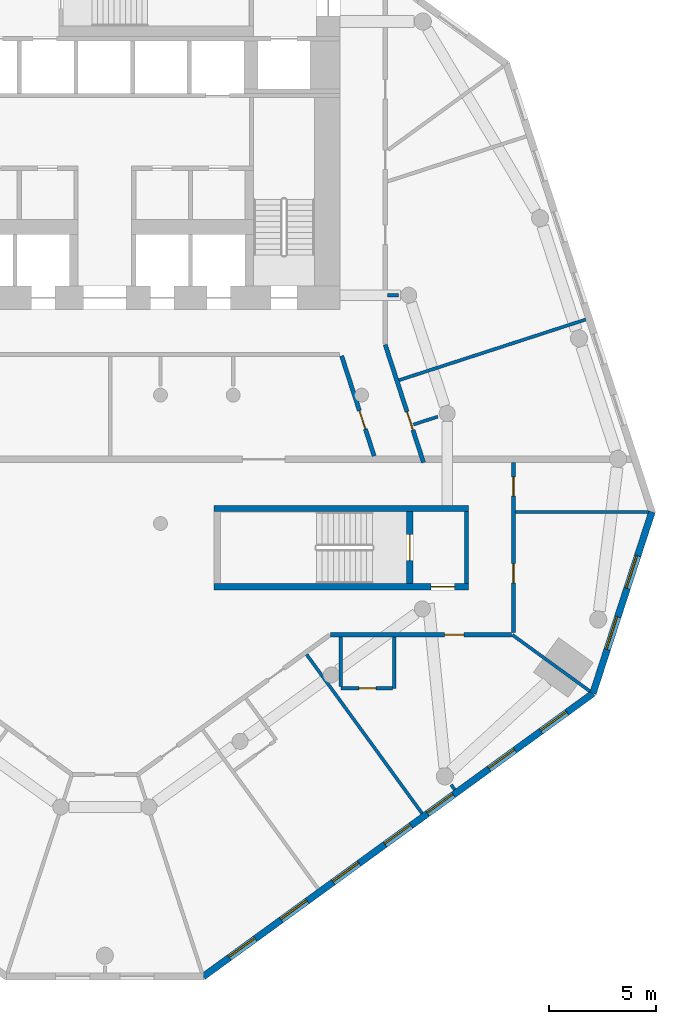
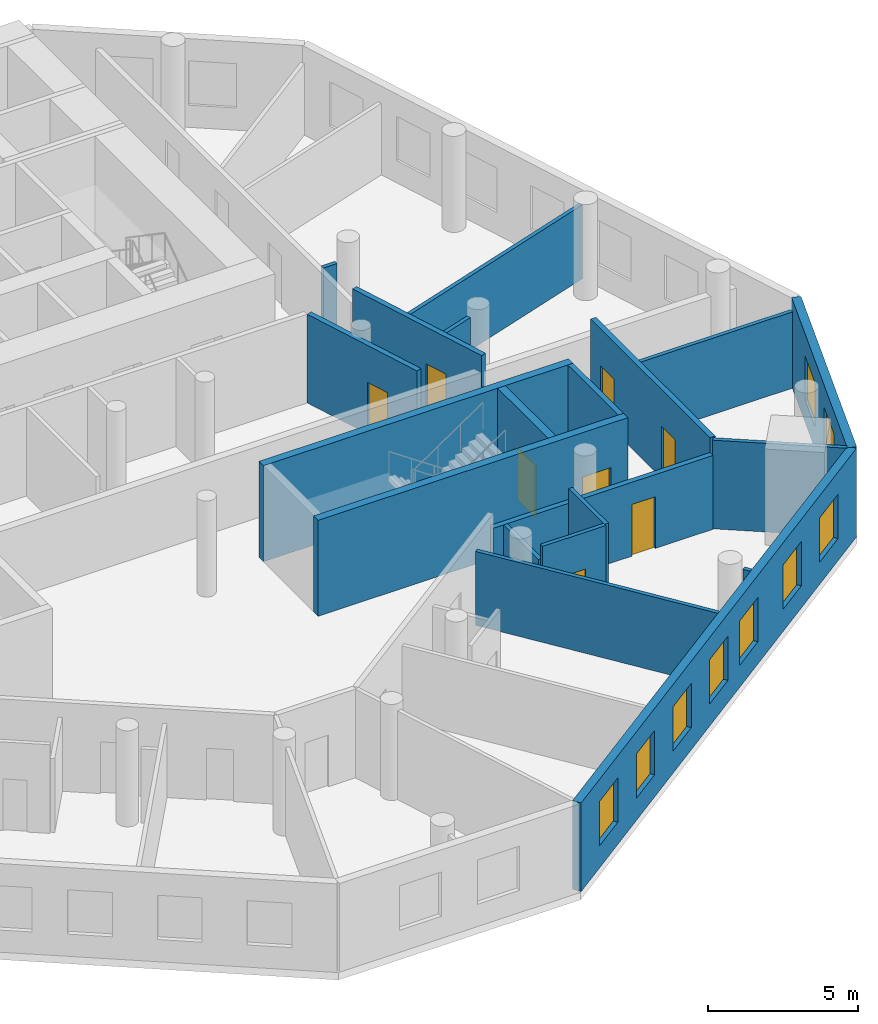
# One storey, part 4 of 9: 20 walls, 9 windows, 8 doors, 17 openings.
"""IFC4 building model written with IfcOpenShell, lengths in metres."""

import ifcopenshell
import ifcopenshell.guid

model = None  # the IFC model being written
_history = None  # IfcOwnerHistory: only IFC2X3 demands one
_inside = {}  # id of a spatial element -> (the spatial element, [elements in it])
_under = {}  # id of a project, library or spatial element -> (it, [spatial elements below it])
_declared = {}  # id of a project -> (the project, [libraries it declares])
_typed = {}  # id of a type object -> (the type object, [elements of that type])
_made_of = {}  # id of a material, layer set ... -> (it, [elements and type objects made of it])


def new_model(schema):
    """Start an empty IFC model of exactly this schema.

    Asked for "IFC4X3", IfcOpenShell would pick the latest addendum, in which some entities
    have other attributes; the version numbers below select the first issue.
    IFC2X3 requires an IfcOwnerHistory on every rooted entity: one is made here for all.
    """
    global model, _history
    if schema == "IFC4X3":
        model = ifcopenshell.file(schema_version=(4, 3, 0, 0))
    else:
        model = ifcopenshell.file(schema=schema)
    _inside.clear()
    _under.clear()
    _declared.clear()
    _typed.clear()
    _made_of.clear()
    _history = None
    if model.schema == "IFC2X3":
        org = make("IfcOrganization", Name="unknown")
        user = make(
            "IfcPersonAndOrganization",
            ThePerson=make("IfcPerson", FamilyName="unknown"),
            TheOrganization=org,
        )
        app = make(
            "IfcApplication",
            ApplicationDeveloper=org,
            Version="unknown",
            ApplicationFullName="unknown",
            ApplicationIdentifier="unknown",
        )
        _history = make(
            "IfcOwnerHistory",
            OwningUser=user,
            OwningApplication=app,
            ChangeAction="ADDED",
            CreationDate=0,
        )
    return model


def make(cls, **values):
    """One entity of the class cls with the attributes given. An attribute that is None is left unset."""
    return model.create_entity(
        cls, **{name: value for name, value in values.items() if value is not None}
    )


def rooted(cls, **values):
    """An entity with a GlobalId (a new one), such as an element, a storey or a relation."""
    return make(cls, GlobalId=ifcopenshell.guid.new(), OwnerHistory=_history, **values)


def si_unit(unit_type, name, prefix=None):
    """IfcSIUnit, for example si_unit("LENGTHUNIT", "METRE", prefix="MILLI")."""
    return make("IfcSIUnit", UnitType=unit_type, Prefix=prefix, Name=name)


def assignment(units):
    """IfcUnitAssignment: the units of a project."""
    return None if units is None else make("IfcUnitAssignment", Units=units)


def point(xyz):
    """IfcCartesianPoint."""
    return None if xyz is None else make("IfcCartesianPoint", Coordinates=xyz)


def direction(xyz):
    """IfcDirection."""
    return None if xyz is None else make("IfcDirection", DirectionRatios=xyz)


def frame(location, z_axis=None, x_axis=None):
    """IfcAxis2Placement3D, a coordinate frame: its origin and axes. An axis left out is left unset."""
    return make(
        "IfcAxis2Placement3D",
        Location=point(location),
        Axis=direction(z_axis),
        RefDirection=direction(x_axis),
    )


def frame_2d(location, x_axis=None):
    """IfcAxis2Placement2D, a coordinate frame in the plane: its origin and x axis."""
    return make(
        "IfcAxis2Placement2D", Location=point(location), RefDirection=direction(x_axis)
    )


def origin():
    """The frame at (0, 0, 0) with its axes left unset."""
    return frame((0.0, 0.0, 0.0))


def place(relative_to, where):
    """IfcLocalPlacement: puts the frame where relative to a parent placement (None: the world)."""
    return make(
        "IfcLocalPlacement", PlacementRelTo=relative_to, RelativePlacement=where
    )


def context(
    kind, dimensions, precision=None, world=None, true_north=None, identifier=None
):
    """IfcGeometricRepresentationContext, for example the 3D "Model" context."""
    return make(
        "IfcGeometricRepresentationContext",
        ContextIdentifier=identifier,
        ContextType=kind,
        CoordinateSpaceDimension=dimensions,
        Precision=precision,
        WorldCoordinateSystem=world,
        TrueNorth=true_north,
    )


def subcontext(parent, identifier, kind, view, scale=None):
    """IfcGeometricRepresentationSubContext, for example "Body" below "Model"."""
    return make(
        "IfcGeometricRepresentationSubContext",
        ContextIdentifier=identifier,
        ContextType=kind,
        ParentContext=parent,
        TargetScale=scale,
        TargetView=view,
    )


def project(units=None, contexts=None):
    """IfcProject with its units and contexts."""
    return rooted(
        "IfcProject",
        Name="project",
        RepresentationContexts=contexts,
        UnitsInContext=assignment(units),
    )


def spatial(cls, under=None, at=None, **own):
    """A site, building, storey or space (cls), placed at a placement, below another one or the project."""
    s = rooted(cls, ObjectPlacement=at, **own)
    if under is not None:
        _under.setdefault(under.id(), (under, []))[1].append(s)
    return s


def profile(cls, at=None, kind="AREA", **sizes):
    """A parametric profile (cls). Its sizes go by their IFC names, for example OverallWidth=200.0."""
    return make(cls, ProfileType=kind, Position=at, **sizes)


def rectangle(**sizes):
    """IfcRectangleProfileDef."""
    return profile("IfcRectangleProfileDef", **sizes)


def extrude(swept, where, along, depth):
    """IfcExtrudedAreaSolid: the profile swept, set in the frame where, extruded along a direction by depth."""
    return make(
        "IfcExtrudedAreaSolid",
        SweptArea=swept,
        Position=where,
        ExtrudedDirection=direction(along),
        Depth=depth,
    )


def shape(context_of_items, identifier, shape_type, items):
    """IfcShapeRepresentation: the items that make up one representation, for example the "Body"."""
    return make(
        "IfcShapeRepresentation",
        ContextOfItems=context_of_items,
        RepresentationIdentifier=identifier,
        RepresentationType=shape_type,
        Items=items,
    )


def material(Name=None, Category=None):
    """IfcMaterial."""
    return make("IfcMaterial", Name=Name, Category=Category)


def layer(
    of_material, thickness, ventilated=None, Name=None, Category=None, Priority=None
):
    """IfcMaterialLayer: one layer of a wall or slab, of a material (None: an air gap)."""
    return make(
        "IfcMaterialLayer",
        Material=of_material,
        LayerThickness=thickness,
        IsVentilated=ventilated,
        Name=Name,
        Category=Category,
        Priority=Priority,
    )


def layer_set(layers, Name=None):
    """IfcMaterialLayerSet."""
    return make("IfcMaterialLayerSet", MaterialLayers=layers, LayerSetName=Name)


def made_of(thing, what):
    """Note that an element or type object is made of a material, layer set ...; save() writes the relation."""
    if what is not None:
        _made_of.setdefault(what.id(), (what, []))[1].append(thing)
    return thing


def type_object(cls, material=None, **own):
    """A type object (cls), such as IfcWallType, which elements share."""
    return made_of(rooted(cls, **own), material)


def element(
    cls,
    number,
    at=None,
    inside=None,
    cuts=None,
    type_object=None,
    material=None,
    context=None,
    identifier="Body",
    shape_type=None,
    held_by="IfcProductDefinitionShape",
    body=None,
    shapes=None,
    **own,
):
    """One element of the class cls, such as IfcWall. Its Tag is "e" and its number.

    at: its placement. inside: the storey or other place that contains it. cuts: it is an
    opening in that element (IfcRelVoidsElement). A single representation is given by context,
    identifier, shape_type and body (its items); several are given by shapes. held_by: the class
    of the entity that holds the representations. save() writes the other relations.
    """
    e = rooted(cls, Tag="e%d" % number, ObjectPlacement=at, **own)
    if body is not None:
        shapes = [shape(context, identifier, shape_type, body)]
    if shapes is not None:
        e.Representation = make(held_by, Representations=shapes)
    if inside is not None:
        _inside.setdefault(inside.id(), (inside, []))[1].append(e)
    if cuts is not None:
        rooted(
            "IfcRelVoidsElement", RelatingBuildingElement=cuts, RelatedOpeningElement=e
        )
    if type_object is not None:
        _typed.setdefault(type_object.id(), (type_object, []))[1].append(e)
    return made_of(e, material)


def fill(opening, filler):
    """IfcRelFillsElement: the door or window that sits in an opening."""
    return rooted(
        "IfcRelFillsElement",
        RelatingOpeningElement=opening,
        RelatedBuildingElement=filler,
    )


def aggregate(whole, parts):
    """IfcRelAggregates: a whole, such as a stair, and the parts it consists of."""
    return rooted("IfcRelAggregates", RelatingObject=whole, RelatedObjects=parts)


def save(model, path):
    """Write the relations noted so far, then the file.

    IfcRelAggregates (storeys below a building ...), IfcRelContainedInSpatialStructure (elements
    in a storey), IfcRelDefinesByType, IfcRelAssociatesMaterial and IfcRelDeclares: one each for
    every whole, place, type object, material and project.
    """
    for whole, parts in _under.values():
        aggregate(whole, parts)
    for where, things in _inside.values():
        rooted(
            "IfcRelContainedInSpatialStructure",
            RelatedElements=things,
            RelatingStructure=where,
        )
    for kind, things in _typed.values():
        rooted("IfcRelDefinesByType", RelatedObjects=things, RelatingType=kind)
    for what, things in _made_of.values():
        rooted("IfcRelAssociatesMaterial", RelatedObjects=things, RelatingMaterial=what)
    for by, libraries in _declared.values():
        rooted("IfcRelDeclares", RelatingContext=by, RelatedDefinitions=libraries)
    model.write(path)


model = new_model("IFC4")

# Units and contexts
model_context = context("Model", 3, precision=1e-05, world=origin(), true_north=direction((0.0, 1.0)))
body_context = subcontext(model_context, "Body", "Model", "MODEL_VIEW")
ifc_project = project(units=[si_unit("LENGTHUNIT", "METRE"), si_unit("AREAUNIT", "SQUARE_METRE"), si_unit("VOLUMEUNIT", "CUBIC_METRE"), si_unit("PLANEANGLEUNIT", "RADIAN"), si_unit("MASSUNIT", "GRAM", prefix="KILO")], contexts=[model_context])

# Site, building, storey
site_placement = place(None, origin())
site = spatial("IfcSite", under=ifc_project, at=site_placement, CompositionType="ELEMENT")
building_placement = place(site_placement, origin())
building = spatial("IfcBuilding", under=site, at=building_placement, Name="White Candle Pilgrim Tower", CompositionType="ELEMENT")
storey_placement = place(building_placement, frame((0.0, 0.0, 122.0)))
storey = spatial("IfcBuildingStorey", under=building, at=storey_placement, Name="L27", CompositionType="ELEMENT", Elevation=122.0)

# Wall
ifc_material_1 = material(Name="Concrete C60/75", Category="concrete")
ifc_layer_1 = layer(ifc_material_1, 0.199951171875)
ifc_layer_set_1 = layer_set([ifc_layer_1], Name="Core wall 200 mm Concrete C60/75")
wall_type_1 = type_object("IfcWallType", Name="Core wall 200 mm Concrete C60/75", PredefinedType="SHEAR", material=ifc_layer_set_1)
wall_1_placement = place(storey_placement, frame((86.89990234375, 58.199951171875, 0.0), z_axis=(0.0, 0.0, 1.0), x_axis=(0.0, 1.0, 0.0)))
element("IfcWall", 1, at=wall_1_placement, inside=storey, type_object=wall_type_1, Name="WL-L27-C08", PredefinedType="SHEAR", context=body_context, shape_type="SweptSolid", body=[
    extrude(rectangle(XDim=3.35009765625, YDim=0.199951171875, at=frame_2d((1.675048828125, 0.0))), origin(), (0.0, 0.0, 1.0), 3.89990234375),
])

# Wall, opening, door
ifc_material_2 = material(Name="Gypsum board on steel studs", Category="steel")
ifc_layer_2 = layer(ifc_material_2, 0.199951171875)
ifc_layer_set_2 = layer_set([ifc_layer_2], Name="Corridor wall 200 mm EI 45")
wall_type_2 = type_object("IfcWallType", Name="Corridor wall 200 mm EI 45", PredefinedType="PARTITIONING", material=ifc_layer_set_2)
wall_2_placement = place(storey_placement, frame((83.10498046875, 69.35400390625, 0.0), z_axis=(0.0, 0.0, 1.0), x_axis=(0.309017390004, -0.951056387747, 0.0)))
wall_2 = element("IfcWall", 2, at=wall_2_placement, inside=storey, type_object=wall_type_2, Name="WL-L27-P005", PredefinedType="PARTITIONING", context=body_context, shape_type="SweptSolid", body=[
    extrude(rectangle(XDim=5.787109375, YDim=0.199951171875, at=frame_2d((2.8935546875, 0.0))), origin(), (0.0, 0.0, 1.0), 3.60009765625),
])
opening_1_placement = place(wall_2_placement, frame((3.291015625, 0.0, 0.0)))
opening_1 = element("IfcOpeningElement", 3, at=opening_1_placement, cuts=wall_2, Name="Opening T08-127", PredefinedType="OPENING", context=body_context, shape_type="SweptSolid", body=[
    extrude(rectangle(XDim=0.89990234375, YDim=2.10009765625, at=frame_2d((0.449951171875, 1.050048828125))), frame((0.0, 0.10986328125, 0.0), z_axis=(0.0, -1.0, 0.0), x_axis=(1.0, 0.0, 0.0)), (0.0, 0.0, 1.0), 0.219970703125),
])
ifc_material_3 = material(Name="Steel door leaf", Category="steel")
door_type_1 = type_object("IfcDoorType", Name="Fire door 900 x 2100 EI 30", OperationType="NOTDEFINED", PredefinedType="DOOR", material=ifc_material_3)
door_1_placement = place(opening_1_placement, origin())
door_1 = element("IfcDoor", 4, at=door_1_placement, inside=storey, type_object=door_type_1, Name="Door T08-127", OperationType="SINGLE_SWING_LEFT", OverallHeight=2.10009765625, OverallWidth=0.89990234375, PredefinedType="DOOR", context=body_context, shape_type="SweptSolid", body=[
    extrude(rectangle(XDim=0.89990234375, YDim=2.10009765625, at=frame_2d((0.449951171875, 1.050048828125))), frame((0.0, 0.02490234375, 0.0), z_axis=(0.0, -1.0, 0.0), x_axis=(1.0, 0.0, 0.0)), (0.0, 0.0, 1.0), 0.050048828125),
])
fill(opening_1, door_1)

# Wall, openings, doors
wall_3_placement = place(storey_placement, frame((89.10009765625, 63.85009765625, 0.0), z_axis=(0.0, 0.0, 1.0), x_axis=(0.0, -1.0, 0.0)))
wall_3 = element("IfcWall", 5, at=wall_3_placement, inside=storey, type_object=wall_type_2, Name="WL-L27-P006", PredefinedType="PARTITIONING", context=body_context, shape_type="SweptSolid", body=[
    extrude(rectangle(XDim=7.9501953125, YDim=0.199951171875, at=frame_2d((3.97509765625, 0.0))), origin(), (0.0, 0.0, 1.0), 3.60009765625),
])
opening_2_placement = place(wall_3_placement, frame((4.728515625, 0.0, 0.0)))
opening_2 = element("IfcOpeningElement", 6, at=opening_2_placement, cuts=wall_3, Name="Opening T08-115", PredefinedType="OPENING", context=body_context, shape_type="SweptSolid", body=[
    extrude(rectangle(XDim=0.89990234375, YDim=2.10009765625, at=frame_2d((0.449951171875, 1.050048828125))), frame((0.0, 0.10986328125, 0.0), z_axis=(0.0, -1.0, 0.0), x_axis=(1.0, 0.0, 0.0)), (0.0, 0.0, 1.0), 0.219970703125),
])
opening_3_placement = place(wall_3_placement, frame((0.666015625, 0.0, 0.0)))
opening_3 = element("IfcOpeningElement", 7, at=opening_3_placement, cuts=wall_3, Name="Opening T08-128", PredefinedType="OPENING", context=body_context, shape_type="SweptSolid", body=[
    extrude(rectangle(XDim=0.89990234375, YDim=2.10009765625, at=frame_2d((0.449951171875, 1.050048828125))), frame((0.0, 0.10986328125, 0.0), z_axis=(0.0, -1.0, 0.0), x_axis=(1.0, 0.0, 0.0)), (0.0, 0.0, 1.0), 0.219970703125),
])
door_2_placement = place(opening_2_placement, origin())
door_2 = element("IfcDoor", 8, at=door_2_placement, inside=storey, type_object=door_type_1, Name="Door T08-115", OperationType="SINGLE_SWING_LEFT", OverallHeight=2.10009765625, OverallWidth=0.89990234375, PredefinedType="DOOR", context=body_context, shape_type="SweptSolid", body=[
    extrude(rectangle(XDim=0.89990234375, YDim=2.10009765625, at=frame_2d((0.449951171875, 1.050048828125))), frame((0.0, 0.02490234375, 0.0), z_axis=(0.0, -1.0, 0.0), x_axis=(1.0, 0.0, 0.0)), (0.0, 0.0, 1.0), 0.050048828125),
])
fill(opening_2, door_2)
door_3_placement = place(opening_3_placement, origin())
door_3 = element("IfcDoor", 9, at=door_3_placement, inside=storey, type_object=door_type_1, Name="Door T08-128", OperationType="SINGLE_SWING_RIGHT", OverallHeight=2.10009765625, OverallWidth=0.89990234375, PredefinedType="DOOR", context=body_context, shape_type="SweptSolid", body=[
    extrude(rectangle(XDim=0.89990234375, YDim=2.10009765625, at=frame_2d((0.449951171875, 1.050048828125))), frame((0.0, 0.02490234375, 0.0), z_axis=(0.0, -1.0, 0.0), x_axis=(1.0, 0.0, 0.0)), (0.0, 0.0, 1.0), 0.050048828125),
])
fill(opening_3, door_3)

# Wall, opening, door
wall_4_placement = place(storey_placement, frame((89.0, 55.800048828125, 0.0), z_axis=(0.0, 0.0, 1.0), x_axis=(-1.0, 0.0, 0.0)))
wall_4 = element("IfcWall", 10, at=wall_4_placement, inside=storey, type_object=wall_type_2, Name="WL-L27-P007", PredefinedType="PARTITIONING", context=body_context, shape_type="SweptSolid", body=[
    extrude(rectangle(XDim=8.44189453125, YDim=0.199951171875, at=frame_2d((4.220947265625, 0.0))), origin(), (0.0, 0.0, 1.0), 3.0),
])
opening_4_placement = place(wall_4_placement, frame((2.218505859375, 0.0, 0.0)))
opening_4 = element("IfcOpeningElement", 11, at=opening_4_placement, cuts=wall_4, Name="Opening T08-114", PredefinedType="OPENING", context=body_context, shape_type="SweptSolid", body=[
    extrude(rectangle(XDim=0.89990234375, YDim=2.10009765625, at=frame_2d((0.449951171875, 1.050048828125))), frame((0.0, 0.10986328125, 0.0), z_axis=(0.0, -1.0, 0.0), x_axis=(1.0, 0.0, 0.0)), (0.0, 0.0, 1.0), 0.219970703125),
])
door_4_placement = place(opening_4_placement, origin())
door_4 = element("IfcDoor", 12, at=door_4_placement, inside=storey, type_object=door_type_1, Name="Door T08-114", OperationType="SINGLE_SWING_RIGHT", OverallHeight=2.10009765625, OverallWidth=0.89990234375, PredefinedType="DOOR", context=body_context, shape_type="SweptSolid", body=[
    extrude(rectangle(XDim=0.89990234375, YDim=2.10009765625, at=frame_2d((0.449951171875, 1.050048828125))), frame((0.0, 0.02490234375, 0.0), z_axis=(0.0, -1.0, 0.0), x_axis=(1.0, 0.0, 0.0)), (0.0, 0.0, 1.0), 0.050048828125),
])
fill(opening_4, door_4)

wall_5_placement = place(storey_placement, frame((82.587646484375, 64.14990234375, 0.0), z_axis=(0.0, 0.0, 1.0), x_axis=(-0.308986244793, 0.95106650689, 0.0)))
wall_5 = element("IfcWall", 13, at=wall_5_placement, inside=storey, type_object=wall_type_2, Name="WL-L27-P015", PredefinedType="PARTITIONING", context=body_context, shape_type="SweptSolid", body=[
    extrude(rectangle(XDim=4.921630859375, YDim=0.199951171875, at=frame_2d((2.4609375, 0.0))), origin(), (0.0, 0.0, 1.0), 3.60009765625),
])
opening_5_placement = place(wall_5_placement, frame((1.32568359375, 0.0, 0.0)))
opening_5 = element("IfcOpeningElement", 14, at=opening_5_placement, cuts=wall_5, Name="Opening T08-129", PredefinedType="OPENING", context=body_context, shape_type="SweptSolid", body=[
    extrude(rectangle(XDim=0.89990234375, YDim=2.10009765625, at=frame_2d((0.449951171875, 1.050048828125))), frame((0.0, 0.10986328125, 0.0), z_axis=(0.0, -1.0, 0.0), x_axis=(1.0, 0.0, 0.0)), (0.0, 0.0, 1.0), 0.219970703125),
])
door_5_placement = place(opening_5_placement, origin())
door_5 = element("IfcDoor", 15, at=door_5_placement, inside=storey, type_object=door_type_1, Name="Door T08-129", OperationType="SINGLE_SWING_LEFT", OverallHeight=2.10009765625, OverallWidth=0.89990234375, PredefinedType="DOOR", context=body_context, shape_type="SweptSolid", body=[
    extrude(rectangle(XDim=0.89990234375, YDim=2.10009765625, at=frame_2d((0.449951171875, 1.050048828125))), frame((0.0, 0.02490234375, 0.0), z_axis=(0.0, -1.0, 0.0), x_axis=(1.0, 0.0, 0.0)), (0.0, 0.0, 1.0), 0.050048828125),
])
fill(opening_5, door_5)

# Wall, openings, windows
ifc_material_4 = material(Name="Precast concrete C40/50", Category="concrete")
ifc_layer_3 = layer(ifc_material_4, 0.320068359375)
ifc_layer_set_3 = layer_set([ifc_layer_3], Name="Facade wall EW1 precast concrete C40/50 pier wall with timber-lined reveals")
wall_type_3 = type_object("IfcWallType", Name="Facade wall EW1 precast concrete C40/50 pier wall with timber-lined reveals", PredefinedType="SOLIDWALL", material=ifc_layer_set_3)
wall_6_placement = place(storey_placement, frame((74.599609375, 39.825927734375, 0.0), z_axis=(0.0, 0.0, 1.0), x_axis=(0.809016442358, 0.587786012077, 0.0)))
wall_6 = element("IfcWall", 16, at=wall_6_placement, inside=storey, type_object=wall_type_3, Name="Facade wall L27 SE", PredefinedType="SOLIDWALL", context=body_context, shape_type="SweptSolid", body=[
    extrude(rectangle(XDim=22.511474609375, YDim=0.320068359375, at=frame_2d((11.255859375, 0.0))), origin(), (0.0, 0.0, 1.0), 3.60009765625),
])
opening_6_placement = place(wall_6_placement, frame((1.505615234375, 0.0, 0.89990234375)))
opening_6 = element("IfcOpeningElement", 17, at=opening_6_placement, cuts=wall_6, Name="Opening W1", PredefinedType="OPENING", context=body_context, shape_type="SweptSolid", body=[
    extrude(rectangle(XDim=1.5, YDim=1.800048828125, at=frame_2d((0.75, 0.89990234375))), frame((0.0, 0.169921875, 0.0), z_axis=(0.0, -1.0, 0.0), x_axis=(1.0, 0.0, 0.0)), (0.0, 0.0, 1.0), 0.340087890625),
])
opening_7_placement = place(wall_6_placement, frame((4.505615234375, 0.0, 0.89990234375)))
opening_7 = element("IfcOpeningElement", 18, at=opening_7_placement, cuts=wall_6, Name="Opening W1", PredefinedType="OPENING", context=body_context, shape_type="SweptSolid", body=[
    extrude(rectangle(XDim=1.5, YDim=1.800048828125, at=frame_2d((0.75, 0.89990234375))), frame((0.0, 0.169921875, 0.0), z_axis=(0.0, -1.0, 0.0), x_axis=(1.0, 0.0, 0.0)), (0.0, 0.0, 1.0), 0.340087890625),
])
opening_8_placement = place(wall_6_placement, frame((7.505615234375, 0.0, 0.89990234375)))
opening_8 = element("IfcOpeningElement", 19, at=opening_8_placement, cuts=wall_6, Name="Opening W1", PredefinedType="OPENING", context=body_context, shape_type="SweptSolid", body=[
    extrude(rectangle(XDim=1.5, YDim=1.800048828125, at=frame_2d((0.75, 0.89990234375))), frame((0.0, 0.169921875, 0.0), z_axis=(0.0, -1.0, 0.0), x_axis=(1.0, 0.0, 0.0)), (0.0, 0.0, 1.0), 0.340087890625),
])
opening_9_placement = place(wall_6_placement, frame((10.505615234375, 0.0, 0.89990234375)))
opening_9 = element("IfcOpeningElement", 20, at=opening_9_placement, cuts=wall_6, Name="Opening W1", PredefinedType="OPENING", context=body_context, shape_type="SweptSolid", body=[
    extrude(rectangle(XDim=1.5, YDim=1.800048828125, at=frame_2d((0.75, 0.89990234375))), frame((0.0, 0.169921875, 0.0), z_axis=(0.0, -1.0, 0.0), x_axis=(1.0, 0.0, 0.0)), (0.0, 0.0, 1.0), 0.340087890625),
])
opening_10_placement = place(wall_6_placement, frame((12.955810546875, 0.0, 0.89990234375)))
opening_10 = element("IfcOpeningElement", 21, at=opening_10_placement, cuts=wall_6, Name="Opening W1", PredefinedType="OPENING", context=body_context, shape_type="SweptSolid", body=[
    extrude(rectangle(XDim=1.5, YDim=1.800048828125, at=frame_2d((0.75, 0.89990234375))), frame((0.0, 0.169921875, 0.0), z_axis=(0.0, -1.0, 0.0), x_axis=(1.0, 0.0, 0.0)), (0.0, 0.0, 1.0), 0.340087890625),
])
opening_11_placement = place(wall_6_placement, frame((16.505615234375, 0.0, 0.89990234375)))
opening_11 = element("IfcOpeningElement", 22, at=opening_11_placement, cuts=wall_6, Name="Opening W1", PredefinedType="OPENING", context=body_context, shape_type="SweptSolid", body=[
    extrude(rectangle(XDim=1.5, YDim=1.800048828125, at=frame_2d((0.75, 0.89990234375))), frame((0.0, 0.169921875, 0.0), z_axis=(0.0, -1.0, 0.0), x_axis=(1.0, 0.0, 0.0)), (0.0, 0.0, 1.0), 0.340087890625),
])
opening_12_placement = place(wall_6_placement, frame((19.505615234375, 0.0, 0.89990234375)))
opening_12 = element("IfcOpeningElement", 23, at=opening_12_placement, cuts=wall_6, Name="Opening W1", PredefinedType="OPENING", context=body_context, shape_type="SweptSolid", body=[
    extrude(rectangle(XDim=1.5, YDim=1.800048828125, at=frame_2d((0.75, 0.89990234375))), frame((0.0, 0.169921875, 0.0), z_axis=(0.0, -1.0, 0.0), x_axis=(1.0, 0.0, 0.0)), (0.0, 0.0, 1.0), 0.340087890625),
])
ifc_material_5 = material(Name="Timber frame with triple glazing", Category="wood")
window_type_1 = type_object("IfcWindowType", Name="Window W1 1500x1800 timber frame triple glazing", PartitioningType="SINGLE_PANEL", PredefinedType="WINDOW", material=ifc_material_5)
window_1_placement = place(opening_6_placement, origin())
window_1 = element("IfcWindow", 24, at=window_1_placement, inside=storey, type_object=window_type_1, Name="Window W1 L27 SE 1", OverallHeight=1.800048828125, OverallWidth=1.5, PartitioningType="SINGLE_PANEL", PredefinedType="WINDOW", context=body_context, shape_type="SweptSolid", body=[
    extrude(rectangle(XDim=1.5, YDim=1.800048828125, at=frame_2d((0.75, 0.89990234375))), frame((0.0, 0.070068359375, 0.0), z_axis=(0.0, -1.0, 0.0), x_axis=(1.0, 0.0, 0.0)), (0.0, 0.0, 1.0), 0.06005859375),
])
fill(opening_6, window_1)
window_2_placement = place(opening_7_placement, origin())
window_2 = element("IfcWindow", 25, at=window_2_placement, inside=storey, type_object=window_type_1, Name="Window W1 L27 SE 2", OverallHeight=1.800048828125, OverallWidth=1.5, PartitioningType="SINGLE_PANEL", PredefinedType="WINDOW", context=body_context, shape_type="SweptSolid", body=[
    extrude(rectangle(XDim=1.5, YDim=1.800048828125, at=frame_2d((0.75, 0.89990234375))), frame((0.0, 0.070068359375, 0.0), z_axis=(0.0, -1.0, 0.0), x_axis=(1.0, 0.0, 0.0)), (0.0, 0.0, 1.0), 0.06005859375),
])
fill(opening_7, window_2)
window_3_placement = place(opening_8_placement, origin())
window_3 = element("IfcWindow", 26, at=window_3_placement, inside=storey, type_object=window_type_1, Name="Window W1 L27 SE 3", OverallHeight=1.800048828125, OverallWidth=1.5, PartitioningType="SINGLE_PANEL", PredefinedType="WINDOW", context=body_context, shape_type="SweptSolid", body=[
    extrude(rectangle(XDim=1.5, YDim=1.800048828125, at=frame_2d((0.75, 0.89990234375))), frame((0.0, 0.070068359375, 0.0), z_axis=(0.0, -1.0, 0.0), x_axis=(1.0, 0.0, 0.0)), (0.0, 0.0, 1.0), 0.06005859375),
])
fill(opening_8, window_3)
window_4_placement = place(opening_9_placement, origin())
window_4 = element("IfcWindow", 27, at=window_4_placement, inside=storey, type_object=window_type_1, Name="Window W1 L27 SE 4", OverallHeight=1.800048828125, OverallWidth=1.5, PartitioningType="SINGLE_PANEL", PredefinedType="WINDOW", context=body_context, shape_type="SweptSolid", body=[
    extrude(rectangle(XDim=1.5, YDim=1.800048828125, at=frame_2d((0.75, 0.89990234375))), frame((0.0, 0.070068359375, 0.0), z_axis=(0.0, -1.0, 0.0), x_axis=(1.0, 0.0, 0.0)), (0.0, 0.0, 1.0), 0.06005859375),
])
fill(opening_9, window_4)
window_5_placement = place(opening_10_placement, origin())
window_5 = element("IfcWindow", 28, at=window_5_placement, inside=storey, type_object=window_type_1, Name="Window W1 L27 SE 5", OverallHeight=1.800048828125, OverallWidth=1.5, PartitioningType="SINGLE_PANEL", PredefinedType="WINDOW", context=body_context, shape_type="SweptSolid", body=[
    extrude(rectangle(XDim=1.5, YDim=1.800048828125, at=frame_2d((0.75, 0.89990234375))), frame((0.0, 0.070068359375, 0.0), z_axis=(0.0, -1.0, 0.0), x_axis=(1.0, 0.0, 0.0)), (0.0, 0.0, 1.0), 0.06005859375),
])
fill(opening_10, window_5)
window_6_placement = place(opening_11_placement, origin())
window_6 = element("IfcWindow", 29, at=window_6_placement, inside=storey, type_object=window_type_1, Name="Window W1 L27 SE 6", OverallHeight=1.800048828125, OverallWidth=1.5, PartitioningType="SINGLE_PANEL", PredefinedType="WINDOW", context=body_context, shape_type="SweptSolid", body=[
    extrude(rectangle(XDim=1.5, YDim=1.800048828125, at=frame_2d((0.75, 0.89990234375))), frame((0.0, 0.070068359375, 0.0), z_axis=(0.0, -1.0, 0.0), x_axis=(1.0, 0.0, 0.0)), (0.0, 0.0, 1.0), 0.06005859375),
])
fill(opening_11, window_6)
window_7_placement = place(opening_12_placement, origin())
window_7 = element("IfcWindow", 30, at=window_7_placement, inside=storey, type_object=window_type_1, Name="Window W1 L27 SE 7", OverallHeight=1.800048828125, OverallWidth=1.5, PartitioningType="SINGLE_PANEL", PredefinedType="WINDOW", context=body_context, shape_type="SweptSolid", body=[
    extrude(rectangle(XDim=1.5, YDim=1.800048828125, at=frame_2d((0.75, 0.89990234375))), frame((0.0, 0.070068359375, 0.0), z_axis=(0.0, -1.0, 0.0), x_axis=(1.0, 0.0, 0.0)), (0.0, 0.0, 1.0), 0.06005859375),
])
fill(opening_12, window_7)

wall_7_placement = place(storey_placement, frame((92.811767578125, 53.057861328125, 0.0), z_axis=(0.0, 0.0, 1.0), x_axis=(0.309002538333, 0.951061213227, 0.0)))
wall_7 = element("IfcWall", 31, at=wall_7_placement, inside=storey, type_object=wall_type_3, Name="Facade wall L27 E chamfer", PredefinedType="SOLIDWALL", context=body_context, shape_type="SweptSolid", body=[
    extrude(rectangle(XDim=8.921630859375, YDim=0.320068359375, at=frame_2d((4.4609375, 0.0))), origin(), (0.0, 0.0, 1.0), 3.60009765625),
])
opening_13_placement = place(wall_7_placement, frame((2.160888671875, 0.0, 0.89990234375)))
opening_13 = element("IfcOpeningElement", 32, at=opening_13_placement, cuts=wall_7, Name="Opening W2", PredefinedType="OPENING", context=body_context, shape_type="SweptSolid", body=[
    extrude(rectangle(XDim=1.60009765625, YDim=1.800048828125, at=frame_2d((0.800048828125, 0.89990234375))), frame((0.0, 0.169921875, 0.0), z_axis=(0.0, -1.0, 0.0), x_axis=(1.0, 0.0, 0.0)), (0.0, 0.0, 1.0), 0.340087890625),
])
opening_14_placement = place(wall_7_placement, frame((5.160888671875, 0.0, 0.89990234375)))
opening_14 = element("IfcOpeningElement", 33, at=opening_14_placement, cuts=wall_7, Name="Opening W2", PredefinedType="OPENING", context=body_context, shape_type="SweptSolid", body=[
    extrude(rectangle(XDim=1.60009765625, YDim=1.800048828125, at=frame_2d((0.800048828125, 0.89990234375))), frame((0.0, 0.169921875, 0.0), z_axis=(0.0, -1.0, 0.0), x_axis=(1.0, 0.0, 0.0)), (0.0, 0.0, 1.0), 0.340087890625),
])
window_type_2 = type_object("IfcWindowType", Name="Window W2 1600x1800 timber frame triple glazing", PartitioningType="SINGLE_PANEL", PredefinedType="WINDOW", material=ifc_material_5)
window_8_placement = place(opening_13_placement, origin())
window_8 = element("IfcWindow", 34, at=window_8_placement, inside=storey, type_object=window_type_2, Name="Window W2 L27 E chamfer 1", OverallHeight=1.800048828125, OverallWidth=1.60009765625, PartitioningType="SINGLE_PANEL", PredefinedType="WINDOW", context=body_context, shape_type="SweptSolid", body=[
    extrude(rectangle(XDim=1.60009765625, YDim=1.800048828125, at=frame_2d((0.800048828125, 0.89990234375))), frame((0.0, 0.070068359375, 0.0), z_axis=(0.0, -1.0, 0.0), x_axis=(1.0, 0.0, 0.0)), (0.0, 0.0, 1.0), 0.06005859375),
])
fill(opening_13, window_8)
window_9_placement = place(opening_14_placement, origin())
window_9 = element("IfcWindow", 35, at=window_9_placement, inside=storey, type_object=window_type_2, Name="Window W2 L27 E chamfer 2", OverallHeight=1.800048828125, OverallWidth=1.60009765625, PartitioningType="SINGLE_PANEL", PredefinedType="WINDOW", context=body_context, shape_type="SweptSolid", body=[
    extrude(rectangle(XDim=1.60009765625, YDim=1.800048828125, at=frame_2d((0.800048828125, 0.89990234375))), frame((0.0, 0.070068359375, 0.0), z_axis=(0.0, -1.0, 0.0), x_axis=(1.0, 0.0, 0.0)), (0.0, 0.0, 1.0), 0.06005859375),
])
fill(opening_14, window_9)

# Walls
ifc_layer_4 = layer(ifc_material_2, 0.14990234375)
ifc_layer_set_4 = layer_set([ifc_layer_4], Name="Partition 150 mm EI 60")
wall_type_4 = type_object("IfcWallType", Name="Partition 150 mm EI 60", PredefinedType="PARTITIONING", material=ifc_layer_set_4)
wall_8_placement = place(storey_placement, frame((92.675537109375, 53.15673828125, 0.0), z_axis=(0.0, 0.0, 1.0), x_axis=(-0.809006482004, 0.587799721058, 0.0)))
element("IfcWall", 36, at=wall_8_placement, inside=storey, type_object=wall_type_4, Name="WL-L27-P021", PredefinedType="PARTITIONING", context=body_context, shape_type="SweptSolid", body=[
    extrude(rectangle(XDim=4.48876953125, YDim=0.14990234375, at=frame_2d((2.244384765625, 0.0))), origin(), (0.0, 0.0, 1.0), 3.60009765625),
])
wall_9_placement = place(storey_placement, frame((95.400390625, 61.54296875, 0.0), z_axis=(0.0, 0.0, 1.0), x_axis=(-1.0, 0.0, 0.0)))
element("IfcWall", 37, at=wall_9_placement, inside=storey, type_object=wall_type_4, Name="WL-L27-P022", PredefinedType="PARTITIONING", context=body_context, shape_type="SweptSolid", body=[
    extrude(rectangle(XDim=6.200439453125, YDim=0.14990234375, at=frame_2d((3.10009765625, 0.0))), origin(), (0.0, 0.0, 1.0), 3.10009765625),
])
wall_10_placement = place(storey_placement, frame((84.8251953125, 47.452880859375, 0.0), z_axis=(0.0, 0.0, 1.0), x_axis=(-0.587795283542, 0.809009706151, 0.0)))
element("IfcWall", 38, at=wall_10_placement, inside=storey, type_object=wall_type_4, Name="WL-L27-P041", PredefinedType="PARTITIONING", context=body_context, shape_type="SweptSolid", body=[
    extrude(rectangle(XDim=9.18017578125, YDim=0.14990234375, at=frame_2d((4.590087890625, 0.0))), origin(), (0.0, 0.0, 1.0), 3.0),
])
wall_11_placement = place(storey_placement, frame((83.525634765625, 55.699951171875, 0.0), z_axis=(0.0, 0.0, 1.0), x_axis=(0.0, -1.0, 0.0)))
element("IfcWall", 39, at=wall_11_placement, inside=storey, type_object=wall_type_4, Name="WL-L27-P044", PredefinedType="PARTITIONING", context=body_context, shape_type="SweptSolid", body=[
    extrude(rectangle(XDim=2.39990234375, YDim=0.14990234375, at=frame_2d((1.199951171875, 0.0))), origin(), (0.0, 0.0, 1.0), 3.60009765625),
])

# Wall, opening, door
wall_12_placement = place(storey_placement, frame((81.025634765625, 53.300048828125, 0.0), z_axis=(0.0, 0.0, 1.0), x_axis=(1.0, 0.0, 0.0)))
wall_12 = element("IfcWall", 40, at=wall_12_placement, inside=storey, type_object=wall_type_4, Name="WL-L27-P045", PredefinedType="PARTITIONING", context=body_context, shape_type="SweptSolid", body=[
    extrude(rectangle(XDim=2.425048828125, YDim=0.14990234375, at=frame_2d((1.21240234375, 0.0))), origin(), (0.0, 0.0, 1.0), 3.60009765625),
])
opening_15_placement = place(wall_12_placement, frame((0.85009765625, 0.0, 0.0)))
opening_15 = element("IfcOpeningElement", 41, at=opening_15_placement, cuts=wall_12, Name="Opening T08-113", PredefinedType="OPENING", context=body_context, shape_type="SweptSolid", body=[
    extrude(rectangle(XDim=0.800048828125, YDim=2.10009765625, at=frame_2d((0.39990234375, 1.050048828125))), frame((0.0, 0.0849609375, 0.0), z_axis=(0.0, -1.0, 0.0), x_axis=(1.0, 0.0, 0.0)), (0.0, 0.0, 1.0), 0.169921875),
])
door_type_2 = type_object("IfcDoorType", Name="Fire door 800 x 2100 EI 30", OperationType="NOTDEFINED", PredefinedType="DOOR", material=ifc_material_3)
door_6_placement = place(opening_15_placement, frame((0.800048828125, 0.0, 0.0), z_axis=(0.0, 0.0, 1.0), x_axis=(-1.0, 0.0, 0.0)))
door_6 = element("IfcDoor", 42, at=door_6_placement, inside=storey, type_object=door_type_2, Name="Door T08-113", OperationType="SINGLE_SWING_RIGHT", OverallHeight=2.10009765625, OverallWidth=0.800048828125, PredefinedType="DOOR", context=body_context, shape_type="SweptSolid", body=[
    extrude(rectangle(XDim=0.800048828125, YDim=2.10009765625, at=frame_2d((0.39990234375, 1.050048828125))), frame((0.0, 0.02490234375, 0.0), z_axis=(0.0, -1.0, 0.0), x_axis=(1.0, 0.0, 0.0)), (0.0, 0.0, 1.0), 0.050048828125),
])
fill(opening_15, door_6)

# Walls
wall_13_placement = place(storey_placement, frame((81.025634765625, 55.699951171875, 0.0), z_axis=(0.0, 0.0, 1.0), x_axis=(0.0, -1.0, 0.0)))
element("IfcWall", 43, at=wall_13_placement, inside=storey, type_object=wall_type_4, Name="WL-L27-P046", PredefinedType="PARTITIONING", context=body_context, shape_type="SweptSolid", body=[
    extrude(rectangle(XDim=2.324951171875, YDim=0.14990234375, at=frame_2d((1.16259765625, 0.0))), origin(), (0.0, 0.0, 1.0), 3.0),
])
wall_14_placement = place(storey_placement, frame((92.47900390625, 70.533935546875, 0.0), z_axis=(0.0, 0.0, 1.0), x_axis=(-0.951052242872, -0.309030146309, 0.0)))
element("IfcWall", 44, at=wall_14_placement, inside=storey, type_object=wall_type_4, Name="WL-L27-P047", PredefinedType="PARTITIONING", context=body_context, shape_type="SweptSolid", body=[
    extrude(rectangle(XDim=9.18017578125, YDim=0.14990234375, at=frame_2d((4.590087890625, 0.0))), origin(), (0.0, 0.0, 1.0), 3.0),
])
wall_15_placement = place(storey_placement, frame((86.18603515625, 48.78955078125, 0.0), z_axis=(0.0, 0.0, 1.0), x_axis=(0.587707047183, -0.809073807938, 0.0)))
element("IfcWall", 45, at=wall_15_placement, inside=storey, type_object=wall_type_4, Name="WL-L27-P053", PredefinedType="PARTITIONING", context=body_context, shape_type="SweptSolid", body=[
    extrude(rectangle(XDim=0.28125, YDim=0.14990234375, at=frame_2d((0.140625, 0.0))), origin(), (0.0, 0.0, 1.0), 3.60009765625),
])
wall_16_placement = place(storey_placement, frame((85.558837890625, 65.992919921875, 0.0), z_axis=(0.0, 0.0, 1.0), x_axis=(-0.951046076661, -0.30904912242, 0.0)))
element("IfcWall", 46, at=wall_16_placement, inside=storey, type_object=wall_type_4, Name="WL-L27-P055", PredefinedType="PARTITIONING", context=body_context, shape_type="SweptSolid", body=[
    extrude(rectangle(XDim=1.1953125, YDim=0.14990234375, at=frame_2d((0.59765625, 0.0))), origin(), (0.0, 0.0, 1.0), 3.60009765625),
])
wall_17_placement = place(storey_placement, frame((83.735107421875, 71.667724609375, 0.0), z_axis=(0.0, 0.0, 1.0), x_axis=(-1.0, 0.0, 0.0)))
element("IfcWall", 47, at=wall_17_placement, inside=storey, type_object=wall_type_4, Name="WL-L27-P056", PredefinedType="PARTITIONING", context=body_context, shape_type="SweptSolid", body=[
    extrude(rectangle(XDim=0.53515625, YDim=0.14990234375, at=frame_2d((0.267578125, 0.0))), origin(), (0.0, 0.0, 1.0), 3.0),
])

# Wall, opening, door
ifc_layer_5 = layer(ifc_material_1, 0.300048828125)
ifc_layer_set_5 = layer_set([ifc_layer_5], Name="Stair shaft wall 300 mm Concrete C60/75")
wall_type_5 = type_object("IfcWallType", Name="Stair shaft wall 300 mm Concrete C60/75", PredefinedType="SHEAR", material=ifc_layer_set_5)
wall_18_placement = place(storey_placement, frame((75.10009765625, 58.050048828125, 0.0), z_axis=(0.0, 0.0, 1.0), x_axis=(1.0, 0.0, 0.0)))
wall_18 = element("IfcWall", 48, at=wall_18_placement, inside=storey, type_object=wall_type_5, Name="WL-L27-C02", PredefinedType="SHEAR", context=body_context, shape_type="SweptSolid", body=[
    extrude(rectangle(XDim=11.89990234375, YDim=0.300048828125, at=frame_2d((5.949951171875, 0.0))), origin(), (0.0, 0.0, 1.0), 3.89990234375),
])
opening_16_placement = place(wall_18_placement, frame((10.14990234375, 0.0, 0.0)))
opening_16 = element("IfcOpeningElement", 49, at=opening_16_placement, cuts=wall_18, Name="Opening T08-009", PredefinedType="OPENING", context=body_context, shape_type="SweptSolid", body=[
    extrude(rectangle(XDim=1.10009765625, YDim=2.10009765625, at=frame_2d((0.550048828125, 1.050048828125))), frame((0.0, 0.159912109375, 0.0), z_axis=(0.0, -1.0, 0.0), x_axis=(1.0, 0.0, 0.0)), (0.0, 0.0, 1.0), 0.320068359375),
])
door_type_3 = type_object("IfcDoorType", Name="Fire door 1100 x 2100 EI 60", OperationType="NOTDEFINED", PredefinedType="DOOR", material=ifc_material_3)
door_7_placement = place(opening_16_placement, origin())
door_7 = element("IfcDoor", 50, at=door_7_placement, inside=storey, type_object=door_type_3, Name="Door T08-009", OperationType="SINGLE_SWING_LEFT", OverallHeight=2.10009765625, OverallWidth=1.10009765625, PredefinedType="DOOR", context=body_context, shape_type="SweptSolid", body=[
    extrude(rectangle(XDim=1.10009765625, YDim=2.10009765625, at=frame_2d((0.550048828125, 1.050048828125))), frame((0.0, 0.02490234375, 0.0), z_axis=(0.0, -1.0, 0.0), x_axis=(1.0, 0.0, 0.0)), (0.0, 0.0, 1.0), 0.050048828125),
])
fill(opening_16, door_7)

wall_19_placement = place(storey_placement, frame((84.25, 58.199951171875, 0.0), z_axis=(0.0, 0.0, 1.0), x_axis=(0.0, 1.0, 0.0)))
wall_19 = element("IfcWall", 51, at=wall_19_placement, inside=storey, type_object=wall_type_5, Name="WL-L27-C07", PredefinedType="SHEAR", context=body_context, shape_type="SweptSolid", body=[
    extrude(rectangle(XDim=3.35009765625, YDim=0.300048828125, at=frame_2d((1.675048828125, 0.0))), origin(), (0.0, 0.0, 1.0), 3.89990234375),
])
opening_17_placement = place(wall_19_placement, frame((1.074951171875, 0.0, 0.0)))
opening_17 = element("IfcOpeningElement", 52, at=opening_17_placement, cuts=wall_19, Name="Opening T08-010", PredefinedType="OPENING", context=body_context, shape_type="SweptSolid", body=[
    extrude(rectangle(XDim=1.199951171875, YDim=2.10009765625, at=frame_2d((0.60009765625, 1.050048828125))), frame((0.0, 0.159912109375, 0.0), z_axis=(0.0, -1.0, 0.0), x_axis=(1.0, 0.0, 0.0)), (0.0, 0.0, 1.0), 0.320068359375),
])
door_type_4 = type_object("IfcDoorType", Name="Fire door 1200 x 2100 EI 60", OperationType="NOTDEFINED", PredefinedType="DOOR", material=ifc_material_3)
door_8_placement = place(opening_17_placement, origin())
door_8 = element("IfcDoor", 53, at=door_8_placement, inside=storey, type_object=door_type_4, Name="Door T08-010", OperationType="SINGLE_SWING_RIGHT", OverallHeight=2.10009765625, OverallWidth=1.199951171875, PredefinedType="DOOR", context=body_context, shape_type="SweptSolid", body=[
    extrude(rectangle(XDim=1.199951171875, YDim=2.10009765625, at=frame_2d((0.60009765625, 1.050048828125))), frame((0.0, 0.02490234375, 0.0), z_axis=(0.0, -1.0, 0.0), x_axis=(1.0, 0.0, 0.0)), (0.0, 0.0, 1.0), 0.050048828125),
])
fill(opening_17, door_8)

# Wall
wall_20_placement = place(storey_placement, frame((75.10009765625, 61.699951171875, 0.0), z_axis=(0.0, 0.0, 1.0), x_axis=(1.0, 0.0, 0.0)))
element("IfcWall", 54, at=wall_20_placement, inside=storey, type_object=wall_type_5, Name="WL-L27-C10", PredefinedType="SHEAR", context=body_context, shape_type="SweptSolid", body=[
    extrude(rectangle(XDim=11.89990234375, YDim=0.300048828125, at=frame_2d((5.949951171875, 0.0))), origin(), (0.0, 0.0, 1.0), 3.89990234375),
])

save(model, "model.ifc")
